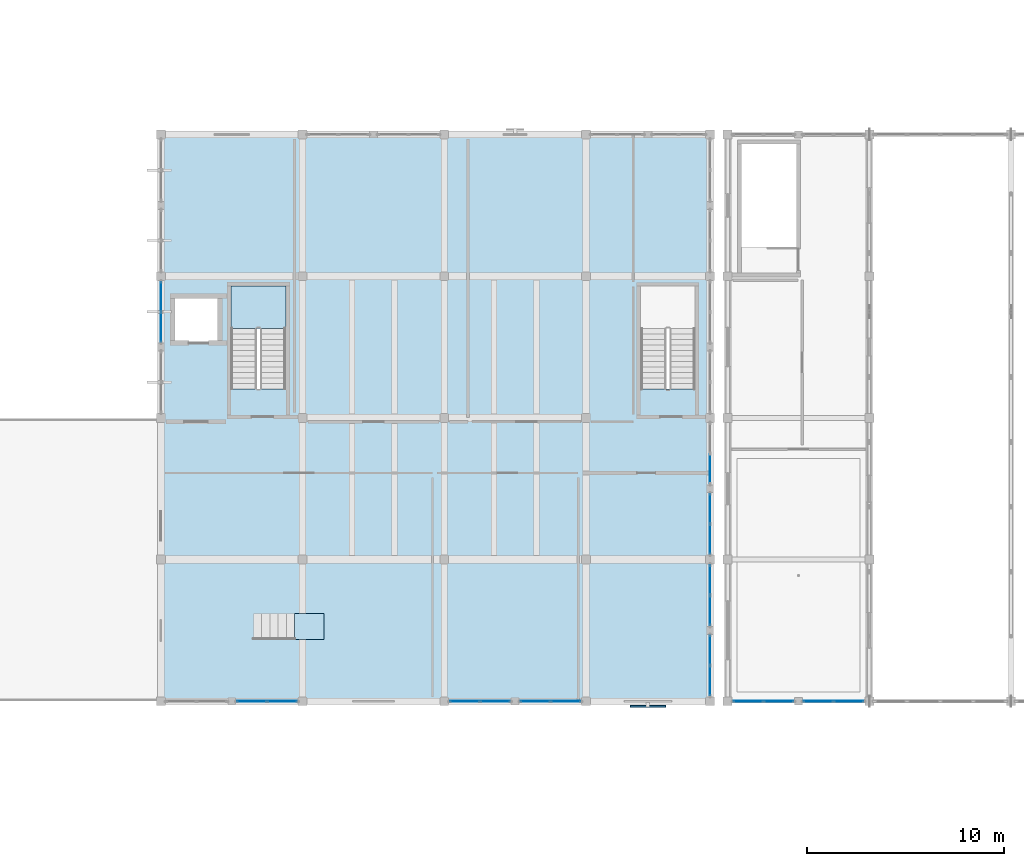
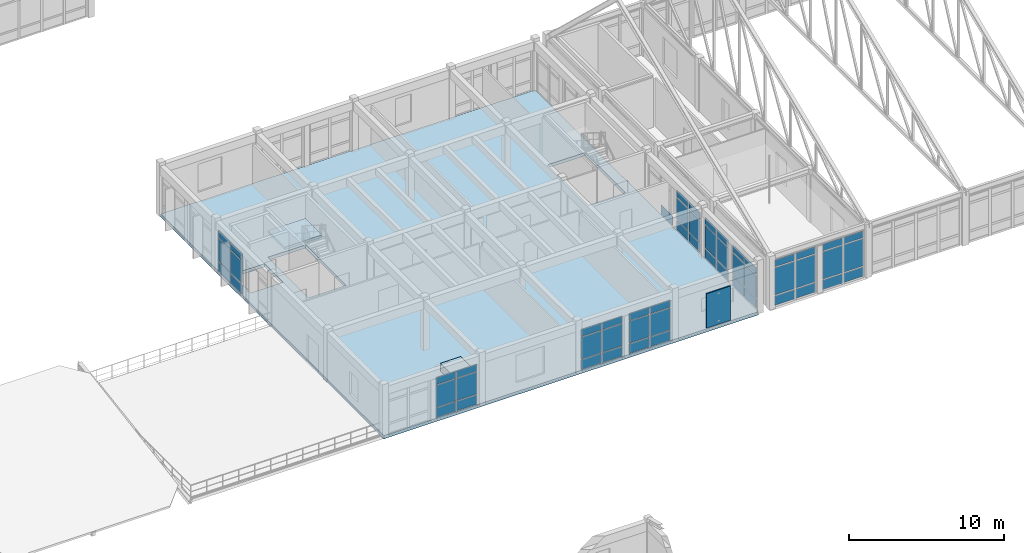
# One storey, part 77 of 136: 56 plates, 3 slabs, 11 elements without a shape of their own.
"""IFC4 building model written with IfcOpenShell, lengths in metres."""

from ifc_helpers import new_model, si_unit, direction, frame, origin, origin_2d, place, context, subcontext, project, spatial, polyline, rectangle, outline, extrude, material, layer, layer_set, type_object, element, aggregate, save


model = new_model("IFC4")

# Units and contexts
model_context = context("Model", 3, precision=1e-05, world=origin(), true_north=direction((0.0, 1.0)))
body_context = subcontext(model_context, "Body", "Model", "MODEL_VIEW")
ifc_project = project(units=[si_unit("LENGTHUNIT", "METRE"), si_unit("AREAUNIT", "SQUARE_METRE"), si_unit("VOLUMEUNIT", "CUBIC_METRE"), si_unit("PLANEANGLEUNIT", "RADIAN"), si_unit("MASSUNIT", "GRAM", prefix="KILO")], contexts=[model_context])

# Site, building, storey
site_placement = place(None, origin())
site = spatial("IfcSite", under=ifc_project, at=site_placement, CompositionType="ELEMENT")
building_placement = place(site_placement, origin())
building = spatial("IfcBuilding", under=site, at=building_placement, Name="Koriwan Promenade Central Fire Station", CompositionType="ELEMENT")
storey_placement = place(building_placement, frame((0.0, 0.0, 5.39990234375)))
storey = spatial("IfcBuildingStorey", under=building, at=storey_placement, Name="L01", CompositionType="ELEMENT", Elevation=5.39990234375)

# Curtain wall, plates
ifc_material_1 = material(Name="Aluminium EN AW-6063-T6 and low-E glazing", Category="aluminium")
ifc_layer_1 = layer(ifc_material_1, 0.159912109375, Name="Aluminium EN AW-6063-T6 and low-E glazing")
ifc_layer_set_1 = layer_set([ifc_layer_1], Name="Aluminium EN AW-6063-T6 and low-E glazing")
curtain_wall_type_1 = type_object("IfcCurtainWallType", Name="CurtainWall_02_318x372", PredefinedType="USERDEFINED", material=ifc_layer_set_1)
curtain_wall_1_placement = place(storey_placement, origin())
curtain_wall_1 = element("IfcCurtainWall", 1, at=curtain_wall_1_placement, inside=storey, type_object=curtain_wall_type_1, Name="V1 L01 unitised curtain wall 003", ObjectType="UNITISED CURTAIN WALL", PredefinedType="USERDEFINED")
ifc_material_2 = material(Name="Solar-control low-E acoustic glazing", Category="glass")
ifc_layer_2 = layer(ifc_material_2, 0.031982421875, Name="Solar-control low-E acoustic glazing")
ifc_layer_set_2 = layer_set([ifc_layer_2], Name="Solar-control low-E acoustic glazing")
plate_type_1 = type_object("IfcPlateType", Name="CWPanel_32", PredefinedType="CURTAIN_PANEL", material=ifc_layer_set_2)
plate_1_placement = place(storey_placement, frame((63.762451171875, 43.199951171875, 0.0751953125), z_axis=(0.0, 0.0, 1.0), x_axis=(-1.0, 0.0, 0.0)))
plate_1 = element("IfcPlate", 2, at=plate_1_placement, type_object=plate_type_1, Name="CW-02 panel 1.1", PredefinedType="CURTAIN_PANEL", context=body_context, shape_type="SweptSolid", body=[
    extrude(rectangle(XDim=1.47509765625, YDim=0.031982421875, at=origin_2d()), origin(), (0.0, 0.0, 1.0), 0.737548828125),
])
plate_2_placement = place(storey_placement, frame((63.762451171875, 43.199951171875, 0.8876953125), z_axis=(0.0, 0.0, 1.0), x_axis=(-1.0, 0.0, 0.0)))
plate_2 = element("IfcPlate", 3, at=plate_2_placement, type_object=plate_type_1, Name="CW-02 panel 1.2", PredefinedType="CURTAIN_PANEL", context=body_context, shape_type="SweptSolid", body=[
    extrude(rectangle(XDim=1.47509765625, YDim=0.031982421875, at=origin_2d()), origin(), (0.0, 0.0, 1.0), 2.14599609375),
])
plate_3_placement = place(storey_placement, frame((63.762451171875, 43.199951171875, 3.108642578125), z_axis=(0.0, 0.0, 1.0), x_axis=(-1.0, 0.0, 0.0)))
plate_3 = element("IfcPlate", 4, at=plate_3_placement, type_object=plate_type_1, Name="CW-02 panel 1.3", PredefinedType="CURTAIN_PANEL", context=body_context, shape_type="SweptSolid", body=[
    extrude(rectangle(XDim=1.47509765625, YDim=0.031982421875, at=origin_2d()), origin(), (0.0, 0.0, 1.0), 0.53759765625),
])
plate_4_placement = place(storey_placement, frame((62.21240234375, 43.199951171875, 0.0751953125), z_axis=(0.0, 0.0, 1.0), x_axis=(-1.0, 0.0, 0.0)))
plate_4 = element("IfcPlate", 5, at=plate_4_placement, type_object=plate_type_1, Name="CW-02 panel 2.1", PredefinedType="CURTAIN_PANEL", context=body_context, shape_type="SweptSolid", body=[
    extrude(rectangle(XDim=1.47509765625, YDim=0.031982421875, at=origin_2d()), origin(), (0.0, 0.0, 1.0), 0.737548828125),
])
plate_5_placement = place(storey_placement, frame((62.21240234375, 43.199951171875, 0.8876953125), z_axis=(0.0, 0.0, 1.0), x_axis=(-1.0, 0.0, 0.0)))
plate_5 = element("IfcPlate", 6, at=plate_5_placement, type_object=plate_type_1, Name="CW-02 panel 2.2", PredefinedType="CURTAIN_PANEL", context=body_context, shape_type="SweptSolid", body=[
    extrude(rectangle(XDim=1.47509765625, YDim=0.031982421875, at=origin_2d()), origin(), (0.0, 0.0, 1.0), 2.14599609375),
])
plate_6_placement = place(storey_placement, frame((62.21240234375, 43.199951171875, 3.108642578125), z_axis=(0.0, 0.0, 1.0), x_axis=(-1.0, 0.0, 0.0)))
plate_6 = element("IfcPlate", 7, at=plate_6_placement, type_object=plate_type_1, Name="CW-02 panel 2.3", PredefinedType="CURTAIN_PANEL", context=body_context, shape_type="SweptSolid", body=[
    extrude(rectangle(XDim=1.47509765625, YDim=0.031982421875, at=origin_2d()), origin(), (0.0, 0.0, 1.0), 0.53759765625),
])
aggregate(curtain_wall_1, [plate_1, plate_2, plate_3, plate_4, plate_5, plate_6])

ifc_layer_3 = layer(ifc_material_1, 0.159912109375, Name="Aluminium EN AW-6063-T6 and low-E glazing")
ifc_layer_set_3 = layer_set([ifc_layer_3], Name="Aluminium EN AW-6063-T6 and low-E glazing")
curtain_wall_type_2 = type_object("IfcCurtainWallType", Name="CurtainWall_01_317x372", PredefinedType="USERDEFINED", material=ifc_layer_set_3)
curtain_wall_2_placement = place(storey_placement, origin())
curtain_wall_2 = element("IfcCurtainWall", 8, at=curtain_wall_2_placement, inside=storey, type_object=curtain_wall_type_2, Name="V1 L01 unitised curtain wall 004", ObjectType="UNITISED CURTAIN WALL", PredefinedType="USERDEFINED")
plate_7_placement = place(storey_placement, frame((60.1875, 43.199951171875, 0.0751953125), z_axis=(0.0, 0.0, 1.0), x_axis=(-1.0, 0.0, 0.0)))
plate_7 = element("IfcPlate", 9, at=plate_7_placement, type_object=plate_type_1, Name="CW-01 panel 1.1", PredefinedType="CURTAIN_PANEL", context=body_context, shape_type="SweptSolid", body=[
    extrude(rectangle(XDim=1.47509765625, YDim=0.031982421875, at=origin_2d()), origin(), (0.0, 0.0, 1.0), 0.737548828125),
])
plate_8_placement = place(storey_placement, frame((60.1875, 43.199951171875, 0.8876953125), z_axis=(0.0, 0.0, 1.0), x_axis=(-1.0, 0.0, 0.0)))
plate_8 = element("IfcPlate", 10, at=plate_8_placement, type_object=plate_type_1, Name="CW-01 panel 1.2", PredefinedType="CURTAIN_PANEL", context=body_context, shape_type="SweptSolid", body=[
    extrude(rectangle(XDim=1.47509765625, YDim=0.031982421875, at=origin_2d()), origin(), (0.0, 0.0, 1.0), 2.14599609375),
])
plate_9_placement = place(storey_placement, frame((60.1875, 43.199951171875, 3.108642578125), z_axis=(0.0, 0.0, 1.0), x_axis=(-1.0, 0.0, 0.0)))
plate_9 = element("IfcPlate", 11, at=plate_9_placement, type_object=plate_type_1, Name="CW-01 panel 1.3", PredefinedType="CURTAIN_PANEL", context=body_context, shape_type="SweptSolid", body=[
    extrude(rectangle(XDim=1.47509765625, YDim=0.031982421875, at=origin_2d()), origin(), (0.0, 0.0, 1.0), 0.53759765625),
])
plate_10_placement = place(storey_placement, frame((58.637451171875, 43.199951171875, 0.0751953125), z_axis=(0.0, 0.0, 1.0), x_axis=(-1.0, 0.0, 0.0)))
plate_10 = element("IfcPlate", 12, at=plate_10_placement, type_object=plate_type_1, Name="CW-01 panel 2.1", PredefinedType="CURTAIN_PANEL", context=body_context, shape_type="SweptSolid", body=[
    extrude(rectangle(XDim=1.47509765625, YDim=0.031982421875, at=origin_2d()), origin(), (0.0, 0.0, 1.0), 0.737548828125),
])
plate_11_placement = place(storey_placement, frame((58.637451171875, 43.199951171875, 0.8876953125), z_axis=(0.0, 0.0, 1.0), x_axis=(-1.0, 0.0, 0.0)))
plate_11 = element("IfcPlate", 13, at=plate_11_placement, type_object=plate_type_1, Name="CW-01 panel 2.2", PredefinedType="CURTAIN_PANEL", context=body_context, shape_type="SweptSolid", body=[
    extrude(rectangle(XDim=1.47509765625, YDim=0.031982421875, at=origin_2d()), origin(), (0.0, 0.0, 1.0), 2.14599609375),
])
plate_12_placement = place(storey_placement, frame((58.637451171875, 43.199951171875, 3.108642578125), z_axis=(0.0, 0.0, 1.0), x_axis=(-1.0, 0.0, 0.0)))
plate_12 = element("IfcPlate", 14, at=plate_12_placement, type_object=plate_type_1, Name="CW-01 panel 2.3", PredefinedType="CURTAIN_PANEL", context=body_context, shape_type="SweptSolid", body=[
    extrude(rectangle(XDim=1.47509765625, YDim=0.031982421875, at=origin_2d()), origin(), (0.0, 0.0, 1.0), 0.53759765625),
])
aggregate(curtain_wall_2, [plate_7, plate_8, plate_9, plate_10, plate_11, plate_12])

ifc_layer_4 = layer(ifc_material_1, 0.159912109375, Name="Aluminium EN AW-6063-T6 and low-E glazing")
ifc_layer_set_4 = layer_set([ifc_layer_4], Name="Aluminium EN AW-6063-T6 and low-E glazing")
curtain_wall_type_3 = type_object("IfcCurtainWallType", Name="CurtainWall_44_318x334", PredefinedType="USERDEFINED", material=ifc_layer_set_4)
curtain_wall_3_placement = place(storey_placement, origin())
curtain_wall_3 = element("IfcCurtainWall", 15, at=curtain_wall_3_placement, inside=storey, type_object=curtain_wall_type_3, Name="V4 L01 unitised curtain wall 109", ObjectType="UNITISED CURTAIN WALL", PredefinedType="USERDEFINED")
plate_13_placement = place(storey_placement, frame((56.699951171875, 44.237548828125, 0.0751953125), z_axis=(0.0, 0.0, 1.0), x_axis=(0.0, 1.0, 0.0)))
plate_13 = element("IfcPlate", 16, at=plate_13_placement, type_object=plate_type_1, Name="CW-44 panel 1.1", PredefinedType="CURTAIN_PANEL", context=body_context, shape_type="SweptSolid", body=[
    extrude(rectangle(XDim=1.47509765625, YDim=0.031982421875, at=origin_2d()), origin(), (0.0, 0.0, 1.0), 0.737548828125),
])
plate_14_placement = place(storey_placement, frame((56.699951171875, 44.237548828125, 0.8876953125), z_axis=(0.0, 0.0, 1.0), x_axis=(0.0, 1.0, 0.0)))
plate_14 = element("IfcPlate", 17, at=plate_14_placement, type_object=plate_type_1, Name="CW-44 panel 1.2", PredefinedType="CURTAIN_PANEL", context=body_context, shape_type="SweptSolid", body=[
    extrude(rectangle(XDim=1.47509765625, YDim=0.031982421875, at=origin_2d()), origin(), (0.0, 0.0, 1.0), 1.764892578125),
])
plate_15_placement = place(storey_placement, frame((56.699951171875, 44.237548828125, 2.7275390625), z_axis=(0.0, 0.0, 1.0), x_axis=(0.0, 1.0, 0.0)))
plate_15 = element("IfcPlate", 18, at=plate_15_placement, type_object=plate_type_1, Name="CW-44 panel 1.3", PredefinedType="CURTAIN_PANEL", context=body_context, shape_type="SweptSolid", body=[
    extrude(rectangle(XDim=1.47509765625, YDim=0.031982421875, at=origin_2d()), origin(), (0.0, 0.0, 1.0), 0.53759765625),
])
plate_16_placement = place(storey_placement, frame((56.699951171875, 45.78759765625, 0.0751953125), z_axis=(0.0, 0.0, 1.0), x_axis=(0.0, 1.0, 0.0)))
plate_16 = element("IfcPlate", 19, at=plate_16_placement, type_object=plate_type_1, Name="CW-44 panel 2.1", PredefinedType="CURTAIN_PANEL", context=body_context, shape_type="SweptSolid", body=[
    extrude(rectangle(XDim=1.47509765625, YDim=0.031982421875, at=origin_2d()), origin(), (0.0, 0.0, 1.0), 0.737548828125),
])
plate_17_placement = place(storey_placement, frame((56.699951171875, 45.78759765625, 0.8876953125), z_axis=(0.0, 0.0, 1.0), x_axis=(0.0, 1.0, 0.0)))
plate_17 = element("IfcPlate", 20, at=plate_17_placement, type_object=plate_type_1, Name="CW-44 panel 2.2", PredefinedType="CURTAIN_PANEL", context=body_context, shape_type="SweptSolid", body=[
    extrude(rectangle(XDim=1.47509765625, YDim=0.031982421875, at=origin_2d()), origin(), (0.0, 0.0, 1.0), 1.764892578125),
])
plate_18_placement = place(storey_placement, frame((56.699951171875, 45.78759765625, 2.7275390625), z_axis=(0.0, 0.0, 1.0), x_axis=(0.0, 1.0, 0.0)))
plate_18 = element("IfcPlate", 21, at=plate_18_placement, type_object=plate_type_1, Name="CW-44 panel 2.3", PredefinedType="CURTAIN_PANEL", context=body_context, shape_type="SweptSolid", body=[
    extrude(rectangle(XDim=1.47509765625, YDim=0.031982421875, at=origin_2d()), origin(), (0.0, 0.0, 1.0), 0.53759765625),
])
aggregate(curtain_wall_3, [plate_13, plate_14, plate_15, plate_16, plate_17, plate_18])

ifc_layer_5 = layer(ifc_material_1, 0.159912109375, Name="Aluminium EN AW-6063-T6 and low-E glazing")
ifc_layer_set_5 = layer_set([ifc_layer_5], Name="Aluminium EN AW-6063-T6 and low-E glazing")
curtain_wall_type_4 = type_object("IfcCurtainWallType", Name="CurtainWall_45_317x334", PredefinedType="USERDEFINED", material=ifc_layer_set_5)
curtain_wall_4_placement = place(storey_placement, origin())
curtain_wall_4 = element("IfcCurtainWall", 22, at=curtain_wall_4_placement, inside=storey, type_object=curtain_wall_type_4, Name="V4 L01 unitised curtain wall 110", ObjectType="UNITISED CURTAIN WALL", PredefinedType="USERDEFINED")
plate_19_placement = place(storey_placement, frame((56.699951171875, 47.8125, 0.0751953125), z_axis=(0.0, 0.0, 1.0), x_axis=(0.0, 1.0, 0.0)))
plate_19 = element("IfcPlate", 23, at=plate_19_placement, type_object=plate_type_1, Name="CW-45 panel 1.1", PredefinedType="CURTAIN_PANEL", context=body_context, shape_type="SweptSolid", body=[
    extrude(rectangle(XDim=1.47509765625, YDim=0.031982421875, at=origin_2d()), origin(), (0.0, 0.0, 1.0), 0.737548828125),
])
plate_20_placement = place(storey_placement, frame((56.699951171875, 47.8125, 0.8876953125), z_axis=(0.0, 0.0, 1.0), x_axis=(0.0, 1.0, 0.0)))
plate_20 = element("IfcPlate", 24, at=plate_20_placement, type_object=plate_type_1, Name="CW-45 panel 1.2", PredefinedType="CURTAIN_PANEL", context=body_context, shape_type="SweptSolid", body=[
    extrude(rectangle(XDim=1.47509765625, YDim=0.031982421875, at=origin_2d()), origin(), (0.0, 0.0, 1.0), 1.764892578125),
])
plate_21_placement = place(storey_placement, frame((56.699951171875, 47.8125, 2.7275390625), z_axis=(0.0, 0.0, 1.0), x_axis=(0.0, 1.0, 0.0)))
plate_21 = element("IfcPlate", 25, at=plate_21_placement, type_object=plate_type_1, Name="CW-45 panel 1.3", PredefinedType="CURTAIN_PANEL", context=body_context, shape_type="SweptSolid", body=[
    extrude(rectangle(XDim=1.47509765625, YDim=0.031982421875, at=origin_2d()), origin(), (0.0, 0.0, 1.0), 0.53759765625),
])
plate_22_placement = place(storey_placement, frame((56.699951171875, 49.362548828125, 0.0751953125), z_axis=(0.0, 0.0, 1.0), x_axis=(0.0, 1.0, 0.0)))
plate_22 = element("IfcPlate", 26, at=plate_22_placement, type_object=plate_type_1, Name="CW-45 panel 2.1", PredefinedType="CURTAIN_PANEL", context=body_context, shape_type="SweptSolid", body=[
    extrude(rectangle(XDim=1.47509765625, YDim=0.031982421875, at=origin_2d()), origin(), (0.0, 0.0, 1.0), 0.737548828125),
])
plate_23_placement = place(storey_placement, frame((56.699951171875, 49.362548828125, 0.8876953125), z_axis=(0.0, 0.0, 1.0), x_axis=(0.0, 1.0, 0.0)))
plate_23 = element("IfcPlate", 27, at=plate_23_placement, type_object=plate_type_1, Name="CW-45 panel 2.2", PredefinedType="CURTAIN_PANEL", context=body_context, shape_type="SweptSolid", body=[
    extrude(rectangle(XDim=1.47509765625, YDim=0.031982421875, at=origin_2d()), origin(), (0.0, 0.0, 1.0), 1.764892578125),
])
plate_24_placement = place(storey_placement, frame((56.699951171875, 49.362548828125, 2.7275390625), z_axis=(0.0, 0.0, 1.0), x_axis=(0.0, 1.0, 0.0)))
plate_24 = element("IfcPlate", 28, at=plate_24_placement, type_object=plate_type_1, Name="CW-45 panel 2.3", PredefinedType="CURTAIN_PANEL", context=body_context, shape_type="SweptSolid", body=[
    extrude(rectangle(XDim=1.47509765625, YDim=0.031982421875, at=origin_2d()), origin(), (0.0, 0.0, 1.0), 0.53759765625),
])
aggregate(curtain_wall_4, [plate_19, plate_20, plate_21, plate_22, plate_23, plate_24])

ifc_layer_6 = layer(ifc_material_1, 0.159912109375, Name="Aluminium EN AW-6063-T6 and low-E glazing")
ifc_layer_set_6 = layer_set([ifc_layer_6], Name="Aluminium EN AW-6063-T6 and low-E glazing")
curtain_wall_type_5 = type_object("IfcCurtainWallType", Name="CurtainWall_46_317x329", PredefinedType="USERDEFINED", material=ifc_layer_set_6)
curtain_wall_5_placement = place(storey_placement, origin())
curtain_wall_5 = element("IfcCurtainWall", 29, at=curtain_wall_5_placement, inside=storey, type_object=curtain_wall_type_5, Name="V4 L01 unitised curtain wall 111", ObjectType="UNITISED CURTAIN WALL", PredefinedType="USERDEFINED")
plate_25_placement = place(storey_placement, frame((56.699951171875, 51.4375, 0.0751953125), z_axis=(0.0, 0.0, 1.0), x_axis=(0.0, 1.0, 0.0)))
plate_25 = element("IfcPlate", 30, at=plate_25_placement, type_object=plate_type_1, Name="CW-46 panel 1.1", PredefinedType="CURTAIN_PANEL", context=body_context, shape_type="SweptSolid", body=[
    extrude(rectangle(XDim=1.47509765625, YDim=0.031982421875, at=origin_2d()), origin(), (0.0, 0.0, 1.0), 0.737548828125),
])
plate_26_placement = place(storey_placement, frame((56.699951171875, 51.4375, 0.8876953125), z_axis=(0.0, 0.0, 1.0), x_axis=(0.0, 1.0, 0.0)))
plate_26 = element("IfcPlate", 31, at=plate_26_placement, type_object=plate_type_1, Name="CW-46 panel 1.2", PredefinedType="CURTAIN_PANEL", context=body_context, shape_type="SweptSolid", body=[
    extrude(rectangle(XDim=1.47509765625, YDim=0.031982421875, at=origin_2d()), origin(), (0.0, 0.0, 1.0), 1.715087890625),
])
plate_27_placement = place(storey_placement, frame((56.699951171875, 51.4375, 2.677490234375), z_axis=(0.0, 0.0, 1.0), x_axis=(0.0, 1.0, 0.0)))
plate_27 = element("IfcPlate", 32, at=plate_27_placement, type_object=plate_type_1, Name="CW-46 panel 1.3", PredefinedType="CURTAIN_PANEL", context=body_context, shape_type="SweptSolid", body=[
    extrude(rectangle(XDim=1.47509765625, YDim=0.031982421875, at=origin_2d()), origin(), (0.0, 0.0, 1.0), 0.53759765625),
])
plate_28_placement = place(storey_placement, frame((56.699951171875, 52.987548828125, 0.0751953125), z_axis=(0.0, 0.0, 1.0), x_axis=(0.0, 1.0, 0.0)))
plate_28 = element("IfcPlate", 33, at=plate_28_placement, type_object=plate_type_1, Name="CW-46 panel 2.1", PredefinedType="CURTAIN_PANEL", context=body_context, shape_type="SweptSolid", body=[
    extrude(rectangle(XDim=1.47509765625, YDim=0.031982421875, at=origin_2d()), origin(), (0.0, 0.0, 1.0), 0.737548828125),
])
plate_29_placement = place(storey_placement, frame((56.699951171875, 52.987548828125, 0.8876953125), z_axis=(0.0, 0.0, 1.0), x_axis=(0.0, 1.0, 0.0)))
plate_29 = element("IfcPlate", 34, at=plate_29_placement, type_object=plate_type_1, Name="CW-46 panel 2.2", PredefinedType="CURTAIN_PANEL", context=body_context, shape_type="SweptSolid", body=[
    extrude(rectangle(XDim=1.47509765625, YDim=0.031982421875, at=origin_2d()), origin(), (0.0, 0.0, 1.0), 1.715087890625),
])
plate_30_placement = place(storey_placement, frame((56.699951171875, 52.987548828125, 2.677490234375), z_axis=(0.0, 0.0, 1.0), x_axis=(0.0, 1.0, 0.0)))
plate_30 = element("IfcPlate", 35, at=plate_30_placement, type_object=plate_type_1, Name="CW-46 panel 2.3", PredefinedType="CURTAIN_PANEL", context=body_context, shape_type="SweptSolid", body=[
    extrude(rectangle(XDim=1.47509765625, YDim=0.031982421875, at=origin_2d()), origin(), (0.0, 0.0, 1.0), 0.53759765625),
])
aggregate(curtain_wall_5, [plate_25, plate_26, plate_27, plate_28, plate_29, plate_30])

# Curtain wall, plate
curtain_wall_6_placement = place(storey_placement, origin())
curtain_wall_6 = element("IfcCurtainWall", 36, at=curtain_wall_6_placement, inside=storey, type_object=curtain_wall_type_5, Name="V4 L01 unitised curtain wall 112", ObjectType="UNITISED CURTAIN WALL", PredefinedType="USERDEFINED")
plate_31_placement = place(storey_placement, frame((56.699951171875, 55.012451171875, 0.0751953125), z_axis=(0.0, 0.0, 1.0), x_axis=(0.0, 1.0, 0.0)))
plate_31 = element("IfcPlate", 37, at=plate_31_placement, type_object=plate_type_1, Name="CW-46 panel 1.1", PredefinedType="CURTAIN_PANEL", context=body_context, shape_type="SweptSolid", body=[
    extrude(rectangle(XDim=1.47509765625, YDim=0.031982421875, at=origin_2d()), origin(), (0.0, 0.0, 1.0), 0.737548828125),
])
aggregate(curtain_wall_6, [plate_31])

# Curtain wall, plates
curtain_wall_7_placement = place(storey_placement, origin())
curtain_wall_7 = element("IfcCurtainWall", 38, at=curtain_wall_7_placement, inside=storey, type_object=curtain_wall_type_3, Name="V4 L01 unitised curtain wall 123", ObjectType="UNITISED CURTAIN WALL", PredefinedType="USERDEFINED")
plate_32_placement = place(storey_placement, frame((28.800048828125, 63.762451171875, 0.0751953125), z_axis=(0.0, 0.0, 1.0), x_axis=(0.0, -1.0, 0.0)))
plate_32 = element("IfcPlate", 39, at=plate_32_placement, type_object=plate_type_1, Name="CW-44 panel 1.1", PredefinedType="CURTAIN_PANEL", context=body_context, shape_type="SweptSolid", body=[
    extrude(rectangle(XDim=1.47509765625, YDim=0.031982421875, at=origin_2d()), origin(), (0.0, 0.0, 1.0), 0.737548828125),
])
plate_33_placement = place(storey_placement, frame((28.800048828125, 63.762451171875, 0.8876953125), z_axis=(0.0, 0.0, 1.0), x_axis=(0.0, -1.0, 0.0)))
plate_33 = element("IfcPlate", 40, at=plate_33_placement, type_object=plate_type_1, Name="CW-44 panel 1.2", PredefinedType="CURTAIN_PANEL", context=body_context, shape_type="SweptSolid", body=[
    extrude(rectangle(XDim=1.47509765625, YDim=0.031982421875, at=origin_2d()), origin(), (0.0, 0.0, 1.0), 1.764892578125),
])
plate_34_placement = place(storey_placement, frame((28.800048828125, 63.762451171875, 2.7275390625), z_axis=(0.0, 0.0, 1.0), x_axis=(0.0, -1.0, 0.0)))
plate_34 = element("IfcPlate", 41, at=plate_34_placement, type_object=plate_type_1, Name="CW-44 panel 1.3", PredefinedType="CURTAIN_PANEL", context=body_context, shape_type="SweptSolid", body=[
    extrude(rectangle(XDim=1.47509765625, YDim=0.031982421875, at=origin_2d()), origin(), (0.0, 0.0, 1.0), 0.53759765625),
])
plate_35_placement = place(storey_placement, frame((28.800048828125, 62.21240234375, 0.0751953125), z_axis=(0.0, 0.0, 1.0), x_axis=(0.0, -1.0, 0.0)))
plate_35 = element("IfcPlate", 42, at=plate_35_placement, type_object=plate_type_1, Name="CW-44 panel 2.1", PredefinedType="CURTAIN_PANEL", context=body_context, shape_type="SweptSolid", body=[
    extrude(rectangle(XDim=1.47509765625, YDim=0.031982421875, at=origin_2d()), origin(), (0.0, 0.0, 1.0), 0.737548828125),
])
plate_36_placement = place(storey_placement, frame((28.800048828125, 62.21240234375, 0.8876953125), z_axis=(0.0, 0.0, 1.0), x_axis=(0.0, -1.0, 0.0)))
plate_36 = element("IfcPlate", 43, at=plate_36_placement, type_object=plate_type_1, Name="CW-44 panel 2.2", PredefinedType="CURTAIN_PANEL", context=body_context, shape_type="SweptSolid", body=[
    extrude(rectangle(XDim=1.47509765625, YDim=0.031982421875, at=origin_2d()), origin(), (0.0, 0.0, 1.0), 1.764892578125),
])
plate_37_placement = place(storey_placement, frame((28.800048828125, 62.21240234375, 2.7275390625), z_axis=(0.0, 0.0, 1.0), x_axis=(0.0, -1.0, 0.0)))
plate_37 = element("IfcPlate", 44, at=plate_37_placement, type_object=plate_type_1, Name="CW-44 panel 2.3", PredefinedType="CURTAIN_PANEL", context=body_context, shape_type="SweptSolid", body=[
    extrude(rectangle(XDim=1.47509765625, YDim=0.031982421875, at=origin_2d()), origin(), (0.0, 0.0, 1.0), 0.53759765625),
])
aggregate(curtain_wall_7, [plate_32, plate_33, plate_34, plate_35, plate_36, plate_37])

curtain_wall_8_placement = place(storey_placement, origin())
curtain_wall_8 = element("IfcCurtainWall", 45, at=curtain_wall_8_placement, inside=storey, type_object=curtain_wall_type_5, Name="V4 L01 unitised curtain wall 126", ObjectType="UNITISED CURTAIN WALL", PredefinedType="USERDEFINED")
plate_38_placement = place(storey_placement, frame((33.41259765625, 43.199951171875, 0.0751953125), z_axis=(0.0, 0.0, 1.0), x_axis=(1.0, 0.0, 0.0)))
plate_38 = element("IfcPlate", 46, at=plate_38_placement, type_object=plate_type_1, Name="CW-46 panel 1.1", PredefinedType="CURTAIN_PANEL", context=body_context, shape_type="SweptSolid", body=[
    extrude(rectangle(XDim=1.47509765625, YDim=0.031982421875, at=origin_2d()), origin(), (0.0, 0.0, 1.0), 0.737548828125),
])
plate_39_placement = place(storey_placement, frame((33.41259765625, 43.199951171875, 0.8876953125), z_axis=(0.0, 0.0, 1.0), x_axis=(1.0, 0.0, 0.0)))
plate_39 = element("IfcPlate", 47, at=plate_39_placement, type_object=plate_type_1, Name="CW-46 panel 1.2", PredefinedType="CURTAIN_PANEL", context=body_context, shape_type="SweptSolid", body=[
    extrude(rectangle(XDim=1.47509765625, YDim=0.031982421875, at=origin_2d()), origin(), (0.0, 0.0, 1.0), 1.715087890625),
])
plate_40_placement = place(storey_placement, frame((33.41259765625, 43.199951171875, 2.677490234375), z_axis=(0.0, 0.0, 1.0), x_axis=(1.0, 0.0, 0.0)))
plate_40 = element("IfcPlate", 48, at=plate_40_placement, type_object=plate_type_1, Name="CW-46 panel 1.3", PredefinedType="CURTAIN_PANEL", context=body_context, shape_type="SweptSolid", body=[
    extrude(rectangle(XDim=1.47509765625, YDim=0.031982421875, at=origin_2d()), origin(), (0.0, 0.0, 1.0), 0.53759765625),
])
plate_41_placement = place(storey_placement, frame((34.96240234375, 43.199951171875, 0.0751953125), z_axis=(0.0, 0.0, 1.0), x_axis=(1.0, 0.0, 0.0)))
plate_41 = element("IfcPlate", 49, at=plate_41_placement, type_object=plate_type_1, Name="CW-46 panel 2.1", PredefinedType="CURTAIN_PANEL", context=body_context, shape_type="SweptSolid", body=[
    extrude(rectangle(XDim=1.47509765625, YDim=0.031982421875, at=origin_2d()), origin(), (0.0, 0.0, 1.0), 0.737548828125),
])
plate_42_placement = place(storey_placement, frame((34.96240234375, 43.199951171875, 0.8876953125), z_axis=(0.0, 0.0, 1.0), x_axis=(1.0, 0.0, 0.0)))
plate_42 = element("IfcPlate", 50, at=plate_42_placement, type_object=plate_type_1, Name="CW-46 panel 2.2", PredefinedType="CURTAIN_PANEL", context=body_context, shape_type="SweptSolid", body=[
    extrude(rectangle(XDim=1.47509765625, YDim=0.031982421875, at=origin_2d()), origin(), (0.0, 0.0, 1.0), 1.715087890625),
])
plate_43_placement = place(storey_placement, frame((34.96240234375, 43.199951171875, 2.677490234375), z_axis=(0.0, 0.0, 1.0), x_axis=(1.0, 0.0, 0.0)))
plate_43 = element("IfcPlate", 51, at=plate_43_placement, type_object=plate_type_1, Name="CW-46 panel 2.3", PredefinedType="CURTAIN_PANEL", context=body_context, shape_type="SweptSolid", body=[
    extrude(rectangle(XDim=1.47509765625, YDim=0.031982421875, at=origin_2d()), origin(), (0.0, 0.0, 1.0), 0.53759765625),
])
aggregate(curtain_wall_8, [plate_38, plate_39, plate_40, plate_41, plate_42, plate_43])

ifc_layer_7 = layer(ifc_material_1, 0.159912109375, Name="Aluminium EN AW-6063-T6 and low-E glazing")
ifc_layer_set_7 = layer_set([ifc_layer_7], Name="Aluminium EN AW-6063-T6 and low-E glazing")
curtain_wall_type_6 = type_object("IfcCurtainWallType", Name="CurtainWall_28_318x329", PredefinedType="USERDEFINED", material=ifc_layer_set_7)
curtain_wall_9_placement = place(storey_placement, origin())
curtain_wall_9 = element("IfcCurtainWall", 52, at=curtain_wall_9_placement, inside=storey, type_object=curtain_wall_type_6, Name="V4 L01 unitised curtain wall 127", ObjectType="UNITISED CURTAIN WALL", PredefinedType="USERDEFINED")
plate_44_placement = place(storey_placement, frame((44.237548828125, 43.199951171875, 0.0751953125), z_axis=(0.0, 0.0, 1.0), x_axis=(1.0, 0.0, 0.0)))
plate_44 = element("IfcPlate", 53, at=plate_44_placement, type_object=plate_type_1, Name="CW-28 panel 1.1", PredefinedType="CURTAIN_PANEL", context=body_context, shape_type="SweptSolid", body=[
    extrude(rectangle(XDim=1.47509765625, YDim=0.031982421875, at=origin_2d()), origin(), (0.0, 0.0, 1.0), 0.737548828125),
])
plate_45_placement = place(storey_placement, frame((44.237548828125, 43.199951171875, 0.8876953125), z_axis=(0.0, 0.0, 1.0), x_axis=(1.0, 0.0, 0.0)))
plate_45 = element("IfcPlate", 54, at=plate_45_placement, type_object=plate_type_1, Name="CW-28 panel 1.2", PredefinedType="CURTAIN_PANEL", context=body_context, shape_type="SweptSolid", body=[
    extrude(rectangle(XDim=1.47509765625, YDim=0.031982421875, at=origin_2d()), origin(), (0.0, 0.0, 1.0), 1.715087890625),
])
plate_46_placement = place(storey_placement, frame((44.237548828125, 43.199951171875, 2.677490234375), z_axis=(0.0, 0.0, 1.0), x_axis=(1.0, 0.0, 0.0)))
plate_46 = element("IfcPlate", 55, at=plate_46_placement, type_object=plate_type_1, Name="CW-28 panel 1.3", PredefinedType="CURTAIN_PANEL", context=body_context, shape_type="SweptSolid", body=[
    extrude(rectangle(XDim=1.47509765625, YDim=0.031982421875, at=origin_2d()), origin(), (0.0, 0.0, 1.0), 0.53759765625),
])
plate_47_placement = place(storey_placement, frame((45.78759765625, 43.199951171875, 0.0751953125), z_axis=(0.0, 0.0, 1.0), x_axis=(1.0, 0.0, 0.0)))
plate_47 = element("IfcPlate", 56, at=plate_47_placement, type_object=plate_type_1, Name="CW-28 panel 2.1", PredefinedType="CURTAIN_PANEL", context=body_context, shape_type="SweptSolid", body=[
    extrude(rectangle(XDim=1.47509765625, YDim=0.031982421875, at=origin_2d()), origin(), (0.0, 0.0, 1.0), 0.737548828125),
])
plate_48_placement = place(storey_placement, frame((45.78759765625, 43.199951171875, 0.8876953125), z_axis=(0.0, 0.0, 1.0), x_axis=(1.0, 0.0, 0.0)))
plate_48 = element("IfcPlate", 57, at=plate_48_placement, type_object=plate_type_1, Name="CW-28 panel 2.2", PredefinedType="CURTAIN_PANEL", context=body_context, shape_type="SweptSolid", body=[
    extrude(rectangle(XDim=1.47509765625, YDim=0.031982421875, at=origin_2d()), origin(), (0.0, 0.0, 1.0), 1.715087890625),
])
plate_49_placement = place(storey_placement, frame((45.78759765625, 43.199951171875, 2.677490234375), z_axis=(0.0, 0.0, 1.0), x_axis=(1.0, 0.0, 0.0)))
plate_49 = element("IfcPlate", 58, at=plate_49_placement, type_object=plate_type_1, Name="CW-28 panel 2.3", PredefinedType="CURTAIN_PANEL", context=body_context, shape_type="SweptSolid", body=[
    extrude(rectangle(XDim=1.47509765625, YDim=0.031982421875, at=origin_2d()), origin(), (0.0, 0.0, 1.0), 0.53759765625),
])
aggregate(curtain_wall_9, [plate_44, plate_45, plate_46, plate_47, plate_48, plate_49])

curtain_wall_10_placement = place(storey_placement, origin())
curtain_wall_10 = element("IfcCurtainWall", 59, at=curtain_wall_10_placement, inside=storey, type_object=curtain_wall_type_5, Name="V4 L01 unitised curtain wall 128", ObjectType="UNITISED CURTAIN WALL", PredefinedType="USERDEFINED")
plate_50_placement = place(storey_placement, frame((47.8125, 43.199951171875, 0.0751953125), z_axis=(0.0, 0.0, 1.0), x_axis=(1.0, 0.0, 0.0)))
plate_50 = element("IfcPlate", 60, at=plate_50_placement, type_object=plate_type_1, Name="CW-46 panel 1.1", PredefinedType="CURTAIN_PANEL", context=body_context, shape_type="SweptSolid", body=[
    extrude(rectangle(XDim=1.47509765625, YDim=0.031982421875, at=origin_2d()), origin(), (0.0, 0.0, 1.0), 0.737548828125),
])
plate_51_placement = place(storey_placement, frame((47.8125, 43.199951171875, 0.8876953125), z_axis=(0.0, 0.0, 1.0), x_axis=(1.0, 0.0, 0.0)))
plate_51 = element("IfcPlate", 61, at=plate_51_placement, type_object=plate_type_1, Name="CW-46 panel 1.2", PredefinedType="CURTAIN_PANEL", context=body_context, shape_type="SweptSolid", body=[
    extrude(rectangle(XDim=1.47509765625, YDim=0.031982421875, at=origin_2d()), origin(), (0.0, 0.0, 1.0), 1.715087890625),
])
plate_52_placement = place(storey_placement, frame((47.8125, 43.199951171875, 2.677490234375), z_axis=(0.0, 0.0, 1.0), x_axis=(1.0, 0.0, 0.0)))
plate_52 = element("IfcPlate", 62, at=plate_52_placement, type_object=plate_type_1, Name="CW-46 panel 1.3", PredefinedType="CURTAIN_PANEL", context=body_context, shape_type="SweptSolid", body=[
    extrude(rectangle(XDim=1.47509765625, YDim=0.031982421875, at=origin_2d()), origin(), (0.0, 0.0, 1.0), 0.53759765625),
])
plate_53_placement = place(storey_placement, frame((49.362548828125, 43.199951171875, 0.0751953125), z_axis=(0.0, 0.0, 1.0), x_axis=(1.0, 0.0, 0.0)))
plate_53 = element("IfcPlate", 63, at=plate_53_placement, type_object=plate_type_1, Name="CW-46 panel 2.1", PredefinedType="CURTAIN_PANEL", context=body_context, shape_type="SweptSolid", body=[
    extrude(rectangle(XDim=1.47509765625, YDim=0.031982421875, at=origin_2d()), origin(), (0.0, 0.0, 1.0), 0.737548828125),
])
plate_54_placement = place(storey_placement, frame((49.362548828125, 43.199951171875, 0.8876953125), z_axis=(0.0, 0.0, 1.0), x_axis=(1.0, 0.0, 0.0)))
plate_54 = element("IfcPlate", 64, at=plate_54_placement, type_object=plate_type_1, Name="CW-46 panel 2.2", PredefinedType="CURTAIN_PANEL", context=body_context, shape_type="SweptSolid", body=[
    extrude(rectangle(XDim=1.47509765625, YDim=0.031982421875, at=origin_2d()), origin(), (0.0, 0.0, 1.0), 1.715087890625),
])
plate_55_placement = place(storey_placement, frame((49.362548828125, 43.199951171875, 2.677490234375), z_axis=(0.0, 0.0, 1.0), x_axis=(1.0, 0.0, 0.0)))
plate_55 = element("IfcPlate", 65, at=plate_55_placement, type_object=plate_type_1, Name="CW-46 panel 2.3", PredefinedType="CURTAIN_PANEL", context=body_context, shape_type="SweptSolid", body=[
    extrude(rectangle(XDim=1.47509765625, YDim=0.031982421875, at=origin_2d()), origin(), (0.0, 0.0, 1.0), 0.53759765625),
])
aggregate(curtain_wall_10, [plate_50, plate_51, plate_52, plate_53, plate_54, plate_55])

# Slabs
ifc_material_3 = material(Name="Concrete C35/45", Category="concrete")
ifc_layer_8 = layer(ifc_material_3, 0.6298828125, Name="Concrete C35/45")
ifc_layer_set_8 = layer_set([ifc_layer_8], Name="Concrete C35/45")
slab_type_1 = type_object("IfcSlabType", Name="DaisPlatform_630", PredefinedType="LANDING", material=ifc_layer_set_8)
slab_1_placement = place(storey_placement, origin())
element("IfcSlab", 66, at=slab_1_placement, inside=storey, type_object=slab_type_1, Name="L01 speaker dais platform 03", PredefinedType="LANDING", context=body_context, shape_type="SweptSolid", body=[
    extrude(outline(polyline([(35.597900390625, 46.340087890625), (37.10009765625, 46.340087890625), (37.10009765625, 47.659912109375), (35.597900390625, 47.659912109375), (35.597900390625, 46.340087890625)])), origin(), (0.0, 0.0, 1.0), 0.630126953125),
])
ifc_layer_9 = layer(ifc_material_3, 0.25, Name="Concrete C35/45")
ifc_layer_set_9 = layer_set([ifc_layer_9], Name="Concrete C35/45")
slab_type_2 = type_object("IfcSlabType", Name="FloorSlab_250", PredefinedType="FLOOR", material=ifc_layer_set_9)
slab_2_placement = place(storey_placement, frame((0.0, 0.0, -0.25)))
element("IfcSlab", 67, at=slab_2_placement, inside=storey, type_object=slab_type_2, Name="V4 L01 structural slab 1", PredefinedType="FLOOR", context=body_context, shape_type="SweptSolid", body=[
    extrude(outline(polyline([(56.699951171875, 72.0), (56.699951171875, 43.199951171875), (28.800048828125, 43.199951171875), (28.800048828125, 72.0), (56.699951171875, 72.0)]), holes=[polyline([(35.14990234375, 59.072021484375), (35.14990234375, 64.31005859375), (32.360107421875, 64.31005859375), (32.360107421875, 59.072021484375), (35.14990234375, 59.072021484375)]), polyline([(53.179931640625, 59.06201171875), (55.949951171875, 59.06201171875), (55.949951171875, 64.2900390625), (53.179931640625, 64.2900390625), (53.179931640625, 59.06201171875)]), polyline([(29.39990234375, 61.39990234375), (31.800048828125, 61.39990234375), (31.800048828125, 63.800048828125), (29.39990234375, 63.800048828125), (29.39990234375, 61.39990234375)])]), origin(), (0.0, 0.0, 1.0), 0.25),
])

# Plate
ifc_material_4 = material(Name="Precast concrete C40/50", Category="concrete")
ifc_layer_10 = layer(ifc_material_4, 0.0849609375, Name="Precast concrete C40/50")
ifc_layer_set_10 = layer_set([ifc_layer_10], Name="Precast concrete C40/50")
plate_type_2 = type_object("IfcPlateType", Name="JaliScreen_JL-02", PredefinedType="USERDEFINED", material=ifc_layer_set_10)
plate_56_placement = place(storey_placement, frame((53.550048828125, 42.947509765625, 0.294921875), z_axis=(0.0, 0.0, 1.0), x_axis=(1.0, 0.0, 0.0)))
element("IfcPlate", 68, at=plate_56_placement, inside=storey, type_object=plate_type_2, Name="V4 L01 Mughal jali screen 010", ObjectType="JALI SCREEN", PredefinedType="USERDEFINED", context=body_context, shape_type="SweptSolid", body=[
    extrude(rectangle(XDim=1.800048828125, YDim=0.0849609375, at=origin_2d()), origin(), (0.0, 0.0, 1.0), 2.699951171875),
])

# Stair, slab
stair_type = type_object("IfcStairType", Name="Stair_HALF_24R_1320", PredefinedType="HALF_TURN_STAIR", material=ifc_material_3)
stair_placement = place(storey_placement, origin())
stair = element("IfcStair", 69, at=stair_placement, inside=storey, type_object=stair_type, Name="L01 Protected Stair ST18", PredefinedType="HALF_TURN_STAIR")
ifc_layer_11 = layer(ifc_material_3, 0.199951171875, Name="Concrete C35/45")
ifc_layer_set_11 = layer_set([ifc_layer_11], Name="Concrete C35/45")
slab_type_3 = type_object("IfcSlabType", Name="StairLanding_200", PredefinedType="LANDING", material=ifc_layer_set_11)
slab_3_placement = place(storey_placement, frame((0.0, 0.0, 1.900146484375)))
slab_3 = element("IfcSlab", 70, at=slab_3_placement, type_object=slab_type_3, Name="ST18 landing 1", PredefinedType="LANDING", context=body_context, shape_type="SweptSolid", body=[
    extrude(outline(polyline([(35.14990234375, 62.14990234375), (35.14990234375, 64.31005859375), (32.360107421875, 64.31005859375), (32.360107421875, 62.14990234375), (35.14990234375, 62.14990234375)])), origin(), (0.0, 0.0, 1.0), 0.199951171875),
])
aggregate(stair, [slab_3])

save(model, "model.ifc")
